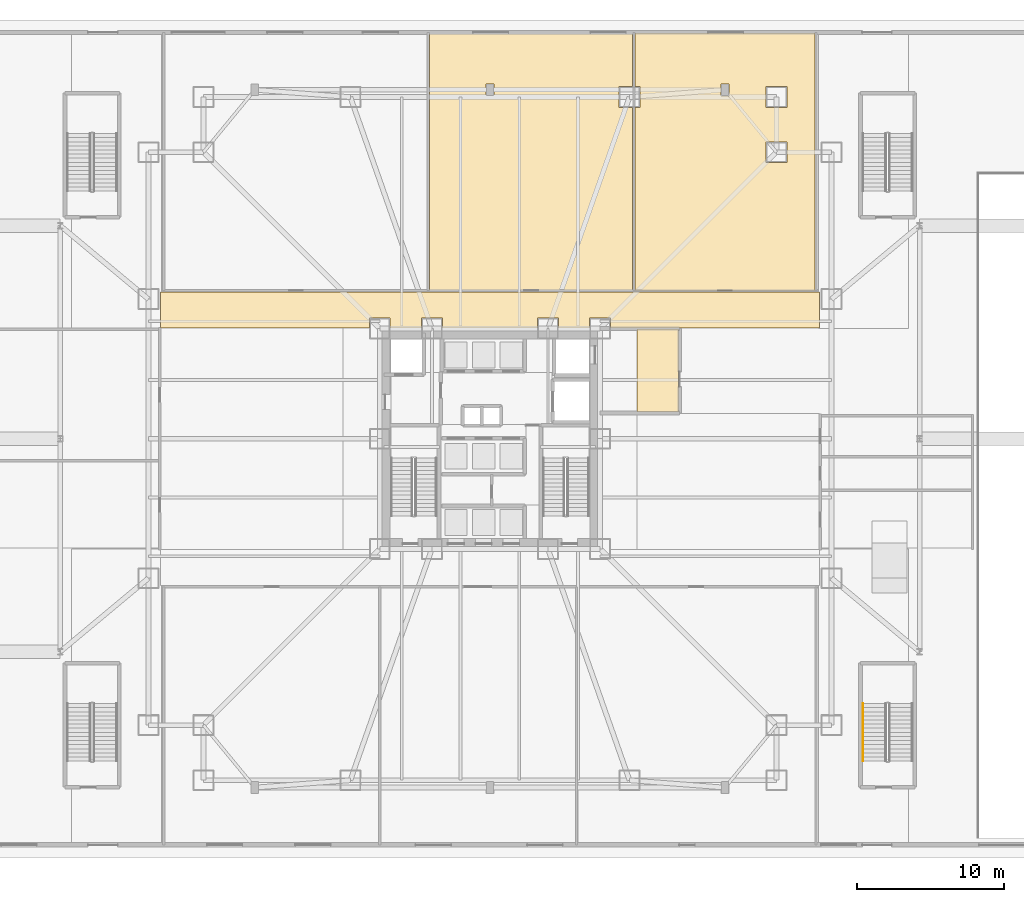
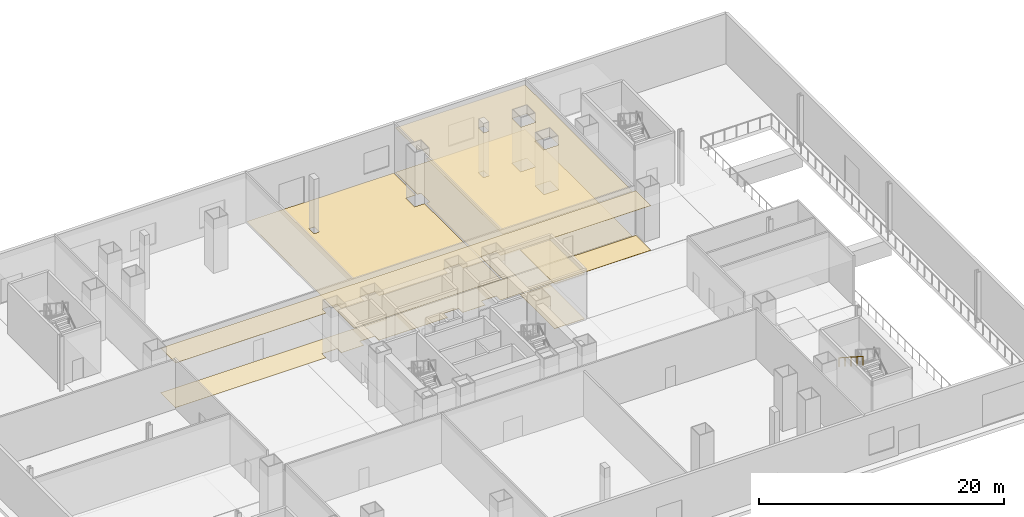
# One storey, part 20 of 24: 7 coverings, 1 railing.
"""IFC4 building model written with IfcOpenShell, lengths in metres."""

import ifcopenshell
import ifcopenshell.guid

model = None  # the IFC model being written
_history = None  # IfcOwnerHistory: only IFC2X3 demands one
_inside = {}  # id of a spatial element -> (the spatial element, [elements in it])
_under = {}  # id of a project, library or spatial element -> (it, [spatial elements below it])
_declared = {}  # id of a project -> (the project, [libraries it declares])
_typed = {}  # id of a type object -> (the type object, [elements of that type])
_made_of = {}  # id of a material, layer set ... -> (it, [elements and type objects made of it])


def new_model(schema):
    """Start an empty IFC model of exactly this schema.

    Asked for "IFC4X3", IfcOpenShell would pick the latest addendum, in which some entities
    have other attributes; the version numbers below select the first issue.
    IFC2X3 requires an IfcOwnerHistory on every rooted entity: one is made here for all.
    """
    global model, _history
    if schema == "IFC4X3":
        model = ifcopenshell.file(schema_version=(4, 3, 0, 0))
    else:
        model = ifcopenshell.file(schema=schema)
    _inside.clear()
    _under.clear()
    _declared.clear()
    _typed.clear()
    _made_of.clear()
    _history = None
    if model.schema == "IFC2X3":
        org = make("IfcOrganization", Name="unknown")
        user = make(
            "IfcPersonAndOrganization",
            ThePerson=make("IfcPerson", FamilyName="unknown"),
            TheOrganization=org,
        )
        app = make(
            "IfcApplication",
            ApplicationDeveloper=org,
            Version="unknown",
            ApplicationFullName="unknown",
            ApplicationIdentifier="unknown",
        )
        _history = make(
            "IfcOwnerHistory",
            OwningUser=user,
            OwningApplication=app,
            ChangeAction="ADDED",
            CreationDate=0,
        )
    return model


def make(cls, **values):
    """One entity of the class cls with the attributes given. An attribute that is None is left unset."""
    return model.create_entity(
        cls, **{name: value for name, value in values.items() if value is not None}
    )


def rooted(cls, **values):
    """An entity with a GlobalId (a new one), such as an element, a storey or a relation."""
    return make(cls, GlobalId=ifcopenshell.guid.new(), OwnerHistory=_history, **values)


def si_unit(unit_type, name, prefix=None):
    """IfcSIUnit, for example si_unit("LENGTHUNIT", "METRE", prefix="MILLI")."""
    return make("IfcSIUnit", UnitType=unit_type, Prefix=prefix, Name=name)


def assignment(units):
    """IfcUnitAssignment: the units of a project."""
    return None if units is None else make("IfcUnitAssignment", Units=units)


def point(xyz):
    """IfcCartesianPoint."""
    return None if xyz is None else make("IfcCartesianPoint", Coordinates=xyz)


def direction(xyz):
    """IfcDirection."""
    return None if xyz is None else make("IfcDirection", DirectionRatios=xyz)


def frame(location, z_axis=None, x_axis=None):
    """IfcAxis2Placement3D, a coordinate frame: its origin and axes. An axis left out is left unset."""
    return make(
        "IfcAxis2Placement3D",
        Location=point(location),
        Axis=direction(z_axis),
        RefDirection=direction(x_axis),
    )


def frame_2d(location, x_axis=None):
    """IfcAxis2Placement2D, a coordinate frame in the plane: its origin and x axis."""
    return make(
        "IfcAxis2Placement2D", Location=point(location), RefDirection=direction(x_axis)
    )


def origin():
    """The frame at (0, 0, 0) with its axes left unset."""
    return frame((0.0, 0.0, 0.0))


def origin_2d():
    """The frame at (0, 0) in the plane with its x axis left unset."""
    return frame_2d((0.0, 0.0))


def place(relative_to, where):
    """IfcLocalPlacement: puts the frame where relative to a parent placement (None: the world)."""
    return make(
        "IfcLocalPlacement", PlacementRelTo=relative_to, RelativePlacement=where
    )


def context(
    kind, dimensions, precision=None, world=None, true_north=None, identifier=None
):
    """IfcGeometricRepresentationContext, for example the 3D "Model" context."""
    return make(
        "IfcGeometricRepresentationContext",
        ContextIdentifier=identifier,
        ContextType=kind,
        CoordinateSpaceDimension=dimensions,
        Precision=precision,
        WorldCoordinateSystem=world,
        TrueNorth=true_north,
    )


def subcontext(parent, identifier, kind, view, scale=None):
    """IfcGeometricRepresentationSubContext, for example "Body" below "Model"."""
    return make(
        "IfcGeometricRepresentationSubContext",
        ContextIdentifier=identifier,
        ContextType=kind,
        ParentContext=parent,
        TargetScale=scale,
        TargetView=view,
    )


def project(units=None, contexts=None):
    """IfcProject with its units and contexts."""
    return rooted(
        "IfcProject",
        Name="project",
        RepresentationContexts=contexts,
        UnitsInContext=assignment(units),
    )


def spatial(cls, under=None, at=None, **own):
    """A site, building, storey or space (cls), placed at a placement, below another one or the project."""
    s = rooted(cls, ObjectPlacement=at, **own)
    if under is not None:
        _under.setdefault(under.id(), (under, []))[1].append(s)
    return s


def polyline(points):
    """IfcPolyline through the points."""
    return make("IfcPolyline", Points=[point(p) for p in points])


def profile(cls, at=None, kind="AREA", **sizes):
    """A parametric profile (cls). Its sizes go by their IFC names, for example OverallWidth=200.0."""
    return make(cls, ProfileType=kind, Position=at, **sizes)


def circle(**sizes):
    """IfcCircleProfileDef."""
    return profile("IfcCircleProfileDef", **sizes)


def outline(outer, holes=None, kind="AREA"):
    """IfcArbitraryClosedProfileDef: a profile drawn as a closed curve; with holes, ...WithVoids."""
    if holes is None:
        return make("IfcArbitraryClosedProfileDef", ProfileType=kind, OuterCurve=outer)
    return make(
        "IfcArbitraryProfileDefWithVoids",
        ProfileType=kind,
        OuterCurve=outer,
        InnerCurves=holes,
    )


def extrude(swept, where, along, depth):
    """IfcExtrudedAreaSolid: the profile swept, set in the frame where, extruded along a direction by depth."""
    return make(
        "IfcExtrudedAreaSolid",
        SweptArea=swept,
        Position=where,
        ExtrudedDirection=direction(along),
        Depth=depth,
    )


def shape(context_of_items, identifier, shape_type, items):
    """IfcShapeRepresentation: the items that make up one representation, for example the "Body"."""
    return make(
        "IfcShapeRepresentation",
        ContextOfItems=context_of_items,
        RepresentationIdentifier=identifier,
        RepresentationType=shape_type,
        Items=items,
    )


def material(Name=None, Category=None):
    """IfcMaterial."""
    return make("IfcMaterial", Name=Name, Category=Category)


def layer(
    of_material, thickness, ventilated=None, Name=None, Category=None, Priority=None
):
    """IfcMaterialLayer: one layer of a wall or slab, of a material (None: an air gap)."""
    return make(
        "IfcMaterialLayer",
        Material=of_material,
        LayerThickness=thickness,
        IsVentilated=ventilated,
        Name=Name,
        Category=Category,
        Priority=Priority,
    )


def layer_set(layers, Name=None):
    """IfcMaterialLayerSet."""
    return make("IfcMaterialLayerSet", MaterialLayers=layers, LayerSetName=Name)


def made_of(thing, what):
    """Note that an element or type object is made of a material, layer set ...; save() writes the relation."""
    if what is not None:
        _made_of.setdefault(what.id(), (what, []))[1].append(thing)
    return thing


def type_object(cls, material=None, **own):
    """A type object (cls), such as IfcWallType, which elements share."""
    return made_of(rooted(cls, **own), material)


def element(
    cls,
    number,
    at=None,
    inside=None,
    cuts=None,
    type_object=None,
    material=None,
    context=None,
    identifier="Body",
    shape_type=None,
    held_by="IfcProductDefinitionShape",
    body=None,
    shapes=None,
    **own,
):
    """One element of the class cls, such as IfcWall. Its Tag is "e" and its number.

    at: its placement. inside: the storey or other place that contains it. cuts: it is an
    opening in that element (IfcRelVoidsElement). A single representation is given by context,
    identifier, shape_type and body (its items); several are given by shapes. held_by: the class
    of the entity that holds the representations. save() writes the other relations.
    """
    e = rooted(cls, Tag="e%d" % number, ObjectPlacement=at, **own)
    if body is not None:
        shapes = [shape(context, identifier, shape_type, body)]
    if shapes is not None:
        e.Representation = make(held_by, Representations=shapes)
    if inside is not None:
        _inside.setdefault(inside.id(), (inside, []))[1].append(e)
    if cuts is not None:
        rooted(
            "IfcRelVoidsElement", RelatingBuildingElement=cuts, RelatedOpeningElement=e
        )
    if type_object is not None:
        _typed.setdefault(type_object.id(), (type_object, []))[1].append(e)
    return made_of(e, material)


def aggregate(whole, parts):
    """IfcRelAggregates: a whole, such as a stair, and the parts it consists of."""
    return rooted("IfcRelAggregates", RelatingObject=whole, RelatedObjects=parts)


def save(model, path):
    """Write the relations noted so far, then the file.

    IfcRelAggregates (storeys below a building ...), IfcRelContainedInSpatialStructure (elements
    in a storey), IfcRelDefinesByType, IfcRelAssociatesMaterial and IfcRelDeclares: one each for
    every whole, place, type object, material and project.
    """
    for whole, parts in _under.values():
        aggregate(whole, parts)
    for where, things in _inside.values():
        rooted(
            "IfcRelContainedInSpatialStructure",
            RelatedElements=things,
            RelatingStructure=where,
        )
    for kind, things in _typed.values():
        rooted("IfcRelDefinesByType", RelatedObjects=things, RelatingType=kind)
    for what, things in _made_of.values():
        rooted("IfcRelAssociatesMaterial", RelatedObjects=things, RelatingMaterial=what)
    for by, libraries in _declared.values():
        rooted("IfcRelDeclares", RelatingContext=by, RelatedDefinitions=libraries)
    model.write(path)


model = new_model("IFC4")

# Units and contexts
model_context = context("Model", 3, precision=1e-05, world=origin(), true_north=direction((0.0, 1.0)))
body_context = subcontext(model_context, "Body", "Model", "MODEL_VIEW")
ifc_project = project(units=[si_unit("LENGTHUNIT", "METRE"), si_unit("AREAUNIT", "SQUARE_METRE"), si_unit("VOLUMEUNIT", "CUBIC_METRE"), si_unit("PLANEANGLEUNIT", "RADIAN"), si_unit("MASSUNIT", "GRAM", prefix="KILO")], contexts=[model_context])

# Site, building, storey
site_placement = place(None, origin())
site = spatial("IfcSite", under=ifc_project, at=site_placement, CompositionType="ELEMENT")
building_placement = place(site_placement, origin())
building = spatial("IfcBuilding", under=site, at=building_placement, Name="Trevonay Congress Spire", CompositionType="ELEMENT")
storey_placement = place(building_placement, origin())
storey = spatial("IfcBuildingStorey", under=building, at=storey_placement, Name="L00", CompositionType="ELEMENT", Elevation=0.0)

# Coverings
ifc_material_1 = material(Name="Acoustic Mineral Fibre Board", Category="gypsum")
ifc_layer_1 = layer(ifc_material_1, 0.02490234375, Name="Acoustic Mineral Fibre Board")
ifc_layer_set_1 = layer_set([ifc_layer_1], Name="Acoustic Mineral Fibre Board")
covering_type_1 = type_object("IfcCoveringType", Name="COV-CEIL-ACOUSTIC", PredefinedType="CEILING", material=ifc_layer_set_1)
covering_1_placement = place(storey_placement, frame((0.0, 0.0, 4.449951171875)))
element("IfcCovering", 1, at=covering_1_placement, inside=storey, type_object=covering_type_1, Name="L00 L00 Grand Concourse North acoustic suspended ceiling", PredefinedType="CEILING", context=body_context, shape_type="SweptSolid", body=[
    extrude(outline(polyline([(-22.419921875, 7.550048828125), (-22.419921875, 10.0), (22.419921875, 10.0), (22.419921875, 7.550048828125), (8.2099609375, 7.550048828125), (8.2099609375, 8.2099609375), (6.7900390625, 8.2099609375), (6.7900390625, 7.550048828125), (4.659912109375, 7.550048828125), (4.659912109375, 8.2099609375), (3.239990234375, 8.2099609375), (3.239990234375, 7.550048828125), (-3.239990234375, 7.550048828125), (-3.239990234375, 8.2099609375), (-4.659912109375, 8.2099609375), (-4.659912109375, 7.550048828125), (-6.7900390625, 7.550048828125), (-6.7900390625, 8.2099609375), (-8.2099609375, 8.2099609375), (-8.2099609375, 7.550048828125), (-22.419921875, 7.550048828125)])), origin(), (0.0, 0.0, 1.0), 0.025146484375),
])
covering_2_placement = place(storey_placement, frame((0.0, 0.0, 4.449951171875)))
element("IfcCovering", 2, at=covering_2_placement, inside=storey, type_object=covering_type_1, Name="L00 Firefighting Lift Lobby East acoustic suspended ceiling", PredefinedType="CEILING", context=body_context, shape_type="SweptSolid", body=[
    extrude(outline(polyline([(12.85009765625, 1.800048828125), (10.010009765625, 1.800048828125), (10.010009765625, 7.449951171875), (12.85009765625, 7.449951171875), (12.85009765625, 1.800048828125)])), origin(), (0.0, 0.0, 1.0), 0.025146484375),
])
covering_3_placement = place(storey_placement, frame((0.0, 0.0, 4.449951171875)))
element("IfcCovering", 3, at=covering_3_placement, inside=storey, type_object=covering_type_1, Name="L00 Accreditation Security Hall acoustic suspended ceiling", PredefinedType="CEILING", context=body_context, shape_type="SweptSolid", body=[
    extrude(outline(polyline([(9.8798828125, 27.60009765625), (22.1201171875, 27.60009765625), (22.1201171875, 10.080078125), (9.8798828125, 10.080078125), (9.8798828125, 22.5400390625), (10.2099609375, 22.5400390625), (10.2099609375, 23.9599609375), (9.8798828125, 23.9599609375), (9.8798828125, 27.60009765625)]), holes=[polyline([(18.7900390625, 20.2099609375), (18.7900390625, 18.7900390625), (20.2099609375, 18.7900390625), (20.2099609375, 20.2099609375), (18.7900390625, 20.2099609375)]), polyline([(18.7900390625, 23.9599609375), (18.7900390625, 22.5400390625), (20.2099609375, 22.5400390625), (20.2099609375, 23.9599609375), (18.7900390625, 23.9599609375)]), polyline([(15.739990234375, 24.159912109375), (15.739990234375, 23.340087890625), (16.260009765625, 23.340087890625), (16.260009765625, 24.159912109375), (15.739990234375, 24.159912109375)])]), origin(), (0.0, 0.0, 1.0), 0.025146484375),
])
ifc_material_2 = material(Name="Polished Granite Floor Tile", Category="masonry")
ifc_layer_2 = layer(ifc_material_2, 0.02001953125, Name="Polished Granite Floor Tile")
ifc_layer_set_2 = layer_set([ifc_layer_2], Name="Polished Granite Floor Tile")
covering_type_2 = type_object("IfcCoveringType", Name="COV-FLOOR-STONE", PredefinedType="FLOORING", material=ifc_layer_set_2)
covering_4_placement = place(storey_placement, origin())
element("IfcCovering", 4, at=covering_4_placement, inside=storey, type_object=covering_type_2, Name="L00 L00 Grand Concourse North floor finish", PredefinedType="FLOORING", context=body_context, shape_type="SweptSolid", body=[
    extrude(outline(polyline([(-22.419921875, 7.550048828125), (-22.419921875, 10.0), (22.419921875, 10.0), (22.419921875, 7.550048828125), (8.2099609375, 7.550048828125), (8.2099609375, 8.2099609375), (6.7900390625, 8.2099609375), (6.7900390625, 7.550048828125), (4.659912109375, 7.550048828125), (4.659912109375, 8.2099609375), (3.239990234375, 8.2099609375), (3.239990234375, 7.550048828125), (-3.239990234375, 7.550048828125), (-3.239990234375, 8.2099609375), (-4.659912109375, 8.2099609375), (-4.659912109375, 7.550048828125), (-6.7900390625, 7.550048828125), (-6.7900390625, 8.2099609375), (-8.2099609375, 8.2099609375), (-8.2099609375, 7.550048828125), (-22.419921875, 7.550048828125)])), origin(), (0.0, 0.0, 1.0), 0.02001953125),
])
covering_5_placement = place(storey_placement, origin())
element("IfcCovering", 5, at=covering_5_placement, inside=storey, type_object=covering_type_2, Name="L00 Firefighting Lift Lobby East floor finish", PredefinedType="FLOORING", context=body_context, shape_type="SweptSolid", body=[
    extrude(outline(polyline([(12.85009765625, 1.800048828125), (10.010009765625, 1.800048828125), (10.010009765625, 7.449951171875), (12.85009765625, 7.449951171875), (12.85009765625, 1.800048828125)])), origin(), (0.0, 0.0, 1.0), 0.02001953125),
])
covering_6_placement = place(storey_placement, origin())
element("IfcCovering", 6, at=covering_6_placement, inside=storey, type_object=covering_type_2, Name="L00 Harbour Retail Arcade floor finish", PredefinedType="FLOORING", context=body_context, shape_type="SweptSolid", body=[
    extrude(outline(polyline([(9.719970703125, 10.080078125), (-4.1201171875, 10.080078125), (-4.1201171875, 27.60009765625), (9.719970703125, 27.60009765625), (9.719970703125, 23.9599609375), (8.7900390625, 23.9599609375), (8.7900390625, 22.5400390625), (9.719970703125, 22.5400390625), (9.719970703125, 10.080078125)]), holes=[polyline([(-0.260009765625, 23.340087890625), (0.260009765625, 23.340087890625), (0.260009765625, 24.159912109375), (-0.260009765625, 24.159912109375), (-0.260009765625, 23.340087890625)])]), origin(), (0.0, 0.0, 1.0), 0.02001953125),
])
ifc_material_3 = material(Name="Engineered Oak Flooring", Category="wood")
ifc_layer_3 = layer(ifc_material_3, 0.01806640625, Name="Engineered Oak Flooring")
ifc_layer_set_3 = layer_set([ifc_layer_3], Name="Engineered Oak Flooring")
covering_type_3 = type_object("IfcCoveringType", Name="COV-FLOOR-TIMBER", PredefinedType="FLOORING", material=ifc_layer_set_3)
covering_7_placement = place(storey_placement, origin())
element("IfcCovering", 7, at=covering_7_placement, inside=storey, type_object=covering_type_3, Name="L00 Accreditation Security Hall floor finish", PredefinedType="FLOORING", context=body_context, shape_type="SweptSolid", body=[
    extrude(outline(polyline([(9.8798828125, 27.60009765625), (22.1201171875, 27.60009765625), (22.1201171875, 10.080078125), (9.8798828125, 10.080078125), (9.8798828125, 22.5400390625), (10.2099609375, 22.5400390625), (10.2099609375, 23.9599609375), (9.8798828125, 23.9599609375), (9.8798828125, 27.60009765625)]), holes=[polyline([(18.7900390625, 20.2099609375), (18.7900390625, 18.7900390625), (20.2099609375, 18.7900390625), (20.2099609375, 20.2099609375), (18.7900390625, 20.2099609375)]), polyline([(18.7900390625, 23.9599609375), (18.7900390625, 22.5400390625), (20.2099609375, 22.5400390625), (20.2099609375, 23.9599609375), (18.7900390625, 23.9599609375)]), polyline([(15.739990234375, 24.159912109375), (15.739990234375, 23.340087890625), (16.260009765625, 23.340087890625), (16.260009765625, 24.159912109375), (15.739990234375, 24.159912109375)])]), origin(), (0.0, 0.0, 1.0), 0.01806640625),
])

# Railing
ifc_material_4 = material(Name="Pale Anodised Aluminium EN AW-6063-T6", Category="aluminium")
railing_type = type_object("IfcRailingType", Name="RAL-STAIR-HANDRAIL", PredefinedType="HANDRAIL", material=ifc_material_4)
railing_placement = place(storey_placement, frame((25.39990234375, -18.030029296875, 2.8798828125)))
element("IfcRailing", 8, at=railing_placement, inside=storey, type_object=railing_type, Name="L00 ST-4 stair handrail 2", PredefinedType="HANDRAIL", context=body_context, shape_type="SweptSolid", body=[
    extrude(circle(Radius=0.02392578125, at=origin_2d()), frame((0.0, 0.0, 0.8759765625), z_axis=(0.0, -0.841171666519, 0.540768182723), x_axis=(1.0, 0.0, 0.0)), (0.0, 0.0, 1.0), 4.66015625),
    extrude(circle(Radius=0.02099609375, at=origin_2d()), origin(), (0.0, 0.0, 1.0), 0.851806640625),
    extrude(circle(Radius=0.02099609375, at=origin_2d()), frame((0.0, -0.97998046875, 0.6298828125)), (0.0, 0.0, 1.0), 0.851806640625),
    extrude(circle(Radius=0.02099609375, at=origin_2d()), frame((0.0, -1.9599609375, 1.260009765625)), (0.0, 0.0, 1.0), 0.851806640625),
    extrude(circle(Radius=0.02099609375, at=origin_2d()), frame((0.0, -2.93994140625, 1.89013671875)), (0.0, 0.0, 1.0), 0.851806640625),
    extrude(circle(Radius=0.02099609375, at=origin_2d()), frame((0.0, -3.919921875, 2.52001953125)), (0.0, 0.0, 1.0), 0.851806640625),
])

save(model, "model.ifc")
